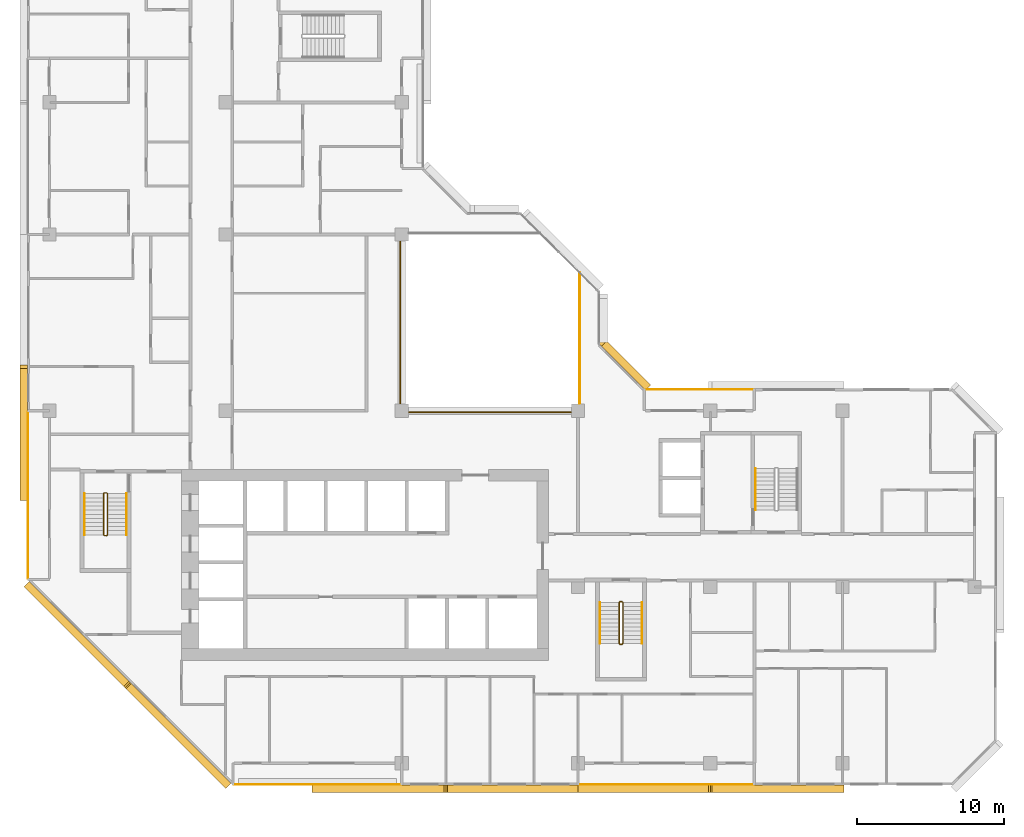
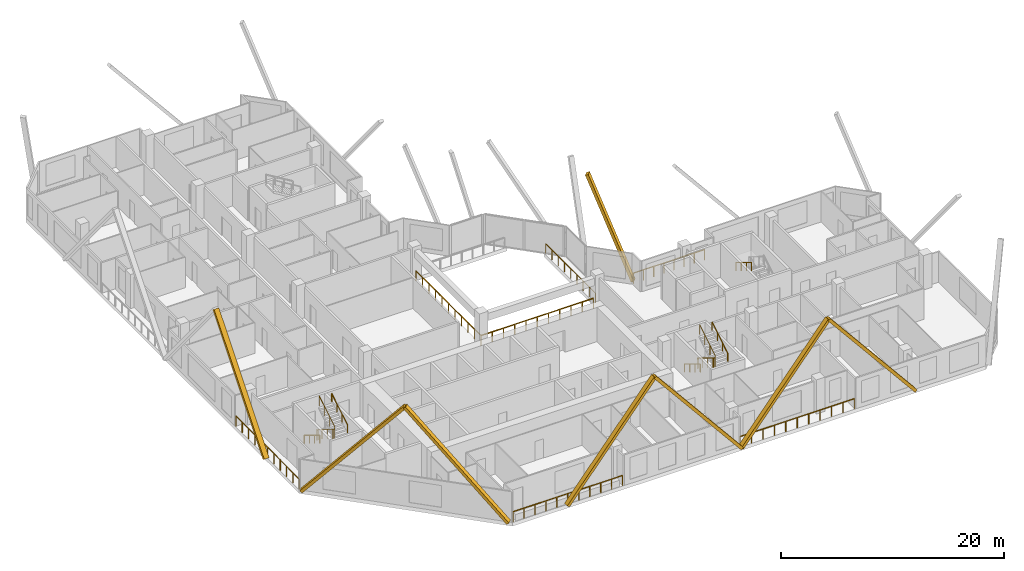
# One storey, part 14 of 15: 13 railings, 8 coverings.
"""IFC4 building model written with IfcOpenShell, lengths in metres."""

from ifc_helpers import new_model, si_unit, direction, frame, origin, origin_2d, place, context, subcontext, project, spatial, rectangle, extrude, material, material_profile, profile_set, type_object, element, save


model = new_model("IFC4")

# Units and contexts
model_context = context("Model", 3, precision=1e-05, world=origin(), true_north=direction((0.0, 1.0)))
body_context = subcontext(model_context, "Body", "Model", "MODEL_VIEW")
ifc_project = project(units=[si_unit("LENGTHUNIT", "METRE"), si_unit("AREAUNIT", "SQUARE_METRE"), si_unit("VOLUMEUNIT", "CUBIC_METRE"), si_unit("PLANEANGLEUNIT", "RADIAN"), si_unit("MASSUNIT", "GRAM", prefix="KILO")], contexts=[model_context])

# Site, building, storey
site_placement = place(None, origin())
site = spatial("IfcSite", under=ifc_project, at=site_placement, CompositionType="ELEMENT")
building_placement = place(site_placement, origin())
building = spatial("IfcBuilding", under=site, at=building_placement, Name="Chenar Terraces", CompositionType="ELEMENT")
storey_placement = place(building_placement, frame((0.0, 0.0, 194.89990234375)))
storey = spatial("IfcBuildingStorey", under=building, at=storey_placement, Name="L45", CompositionType="ELEMENT", Elevation=194.89990234375)

# Railings
ifc_material_1 = material(Name="Powder-coated steel", Category="steel")
railing_type_1 = type_object("IfcRailingType", Name="Guard 1100 steel rail with glass infill", PredefinedType="GUARDRAIL", material=ifc_material_1)
railing_1_placement = place(storey_placement, frame((23.89990234375, 35.550048828125, 0.0)))
element("IfcRailing", 1, at=railing_1_placement, inside=storey, type_object=railing_type_1, Name="Guard L45-1", PredefinedType="GUARDRAIL", context=body_context, shape_type="SweptSolid", body=[
    extrude(rectangle(XDim=0.06005859375, YDim=0.06005859375, at=origin_2d()), frame((0.0, 0.0, 1.070068359375), z_axis=(0.0, -1.0, 0.0), x_axis=(1.0, 0.0, 0.0)), (0.0, 0.0, 1.0), 11.650146484375),
    extrude(rectangle(XDim=0.06005859375, YDim=0.06005859375, at=origin_2d()), frame((0.0, -11.650146484375, 1.070068359375), z_axis=(1.0, 0.0, 0.0), x_axis=(0.0, 1.0, 0.0)), (0.0, 0.0, 1.0), 11.650146484375),
    extrude(rectangle(XDim=0.050048828125, YDim=0.050048828125, at=origin_2d()), origin(), (0.0, 0.0, 1.0), 1.0400390625),
    extrude(rectangle(XDim=0.050048828125, YDim=0.050048828125, at=origin_2d()), frame((0.0, -1.1650390625, 0.0)), (0.0, 0.0, 1.0), 1.0400390625),
    extrude(rectangle(XDim=0.050048828125, YDim=0.050048828125, at=origin_2d()), frame((0.0, -2.330078125, 0.0)), (0.0, 0.0, 1.0), 1.0400390625),
    extrude(rectangle(XDim=0.050048828125, YDim=0.050048828125, at=origin_2d()), frame((0.0, -3.4951171875, 0.0)), (0.0, 0.0, 1.0), 1.0400390625),
    extrude(rectangle(XDim=0.050048828125, YDim=0.050048828125, at=origin_2d()), frame((0.0, -4.66015625, 0.0)), (0.0, 0.0, 1.0), 1.0400390625),
    extrude(rectangle(XDim=0.050048828125, YDim=0.050048828125, at=origin_2d()), frame((0.0, -5.8251953125, 0.0)), (0.0, 0.0, 1.0), 1.0400390625),
    extrude(rectangle(XDim=0.050048828125, YDim=0.050048828125, at=origin_2d()), frame((0.0, -6.989990234375, 0.0)), (0.0, 0.0, 1.0), 1.0400390625),
    extrude(rectangle(XDim=0.050048828125, YDim=0.050048828125, at=origin_2d()), frame((0.0, -8.155029296875, 0.0)), (0.0, 0.0, 1.0), 1.0400390625),
    extrude(rectangle(XDim=0.050048828125, YDim=0.050048828125, at=origin_2d()), frame((0.0, -9.320068359375, 0.0)), (0.0, 0.0, 1.0), 1.0400390625),
    extrude(rectangle(XDim=0.050048828125, YDim=0.050048828125, at=origin_2d()), frame((0.0, -10.485107421875, 0.0)), (0.0, 0.0, 1.0), 1.0400390625),
    extrude(rectangle(XDim=0.050048828125, YDim=0.050048828125, at=origin_2d()), frame((0.0, -11.650146484375, 0.0)), (0.0, 0.0, 1.0), 1.0400390625),
    extrude(rectangle(XDim=0.050048828125, YDim=0.050048828125, at=origin_2d()), frame((1.1650390625, -11.650146484375, 0.0)), (0.0, 0.0, 1.0), 1.0400390625),
    extrude(rectangle(XDim=0.050048828125, YDim=0.050048828125, at=origin_2d()), frame((2.330078125, -11.650146484375, 0.0)), (0.0, 0.0, 1.0), 1.0400390625),
    extrude(rectangle(XDim=0.050048828125, YDim=0.050048828125, at=origin_2d()), frame((3.4951171875, -11.650146484375, 0.0)), (0.0, 0.0, 1.0), 1.0400390625),
    extrude(rectangle(XDim=0.050048828125, YDim=0.050048828125, at=origin_2d()), frame((4.66015625, -11.650146484375, 0.0)), (0.0, 0.0, 1.0), 1.0400390625),
    extrude(rectangle(XDim=0.050048828125, YDim=0.050048828125, at=origin_2d()), frame((5.8251953125, -11.650146484375, 0.0)), (0.0, 0.0, 1.0), 1.0400390625),
    extrude(rectangle(XDim=0.050048828125, YDim=0.050048828125, at=origin_2d()), frame((6.989990234375, -11.650146484375, 0.0)), (0.0, 0.0, 1.0), 1.0400390625),
    extrude(rectangle(XDim=0.050048828125, YDim=0.050048828125, at=origin_2d()), frame((8.155029296875, -11.650146484375, 0.0)), (0.0, 0.0, 1.0), 1.0400390625),
    extrude(rectangle(XDim=0.050048828125, YDim=0.050048828125, at=origin_2d()), frame((9.320068359375, -11.650146484375, 0.0)), (0.0, 0.0, 1.0), 1.0400390625),
    extrude(rectangle(XDim=0.050048828125, YDim=0.050048828125, at=origin_2d()), frame((10.485107421875, -11.650146484375, 0.0)), (0.0, 0.0, 1.0), 1.0400390625),
    extrude(rectangle(XDim=0.050048828125, YDim=0.050048828125, at=origin_2d()), frame((11.650146484375, -11.650146484375, 0.0)), (0.0, 0.0, 1.0), 1.0400390625),
])
railing_2_placement = place(storey_placement, frame((36.10009765625, 24.5, 0.0)))
element("IfcRailing", 2, at=railing_2_placement, inside=storey, type_object=railing_type_1, Name="Guard L45-3", PredefinedType="GUARDRAIL", context=body_context, shape_type="SweptSolid", body=[
    extrude(rectangle(XDim=0.06005859375, YDim=0.06005859375, at=origin_2d()), frame((0.0, 0.0, 1.070068359375), z_axis=(0.0, 1.0, 0.0), x_axis=(-1.0, 0.0, 0.0)), (0.0, 0.0, 1.0), 8.89990234375),
    extrude(rectangle(XDim=0.050048828125, YDim=0.050048828125, at=origin_2d()), origin(), (0.0, 0.0, 1.0), 1.0400390625),
    extrude(rectangle(XDim=0.050048828125, YDim=0.050048828125, at=origin_2d()), frame((0.0, 1.112548828125, 0.0)), (0.0, 0.0, 1.0), 1.0400390625),
    extrude(rectangle(XDim=0.050048828125, YDim=0.050048828125, at=origin_2d()), frame((0.0, 2.22509765625, 0.0)), (0.0, 0.0, 1.0), 1.0400390625),
    extrude(rectangle(XDim=0.050048828125, YDim=0.050048828125, at=origin_2d()), frame((0.0, 3.33740234375, 0.0)), (0.0, 0.0, 1.0), 1.0400390625),
    extrude(rectangle(XDim=0.050048828125, YDim=0.050048828125, at=origin_2d()), frame((0.0, 4.449951171875, 0.0)), (0.0, 0.0, 1.0), 1.0400390625),
    extrude(rectangle(XDim=0.050048828125, YDim=0.050048828125, at=origin_2d()), frame((0.0, 5.5625, 0.0)), (0.0, 0.0, 1.0), 1.0400390625),
    extrude(rectangle(XDim=0.050048828125, YDim=0.050048828125, at=origin_2d()), frame((0.0, 6.6748046875, 0.0)), (0.0, 0.0, 1.0), 1.0400390625),
    extrude(rectangle(XDim=0.050048828125, YDim=0.050048828125, at=origin_2d()), frame((0.0, 7.787353515625, 0.0)), (0.0, 0.0, 1.0), 1.0400390625),
    extrude(rectangle(XDim=0.050048828125, YDim=0.050048828125, at=origin_2d()), frame((0.0, 8.89990234375, 0.0)), (0.0, 0.0, 1.0), 1.0400390625),
])
ifc_material_2 = material(Name="Stainless steel and glass", Category="steel")
railing_type_2 = type_object("IfcRailingType", Name="Loggia guard 1150", PredefinedType="GUARDRAIL", material=ifc_material_2)
railing_3_placement = place(storey_placement, frame((47.925048828125, 25.449951171875, 0.0)))
element("IfcRailing", 3, at=railing_3_placement, inside=storey, type_object=railing_type_2, Name="Loggia guard", PredefinedType="GUARDRAIL", context=body_context, shape_type="SweptSolid", body=[
    extrude(rectangle(XDim=0.048095703125, YDim=0.048095703125, at=origin_2d()), frame((0.0, 0.0, 1.1259765625), z_axis=(-1.0, 0.0, 0.0), x_axis=(0.0, -1.0, 0.0)), (0.0, 0.0, 1.0), 7.35009765625),
    extrude(rectangle(XDim=0.0419921875, YDim=0.0419921875, at=origin_2d()), origin(), (0.0, 0.0, 1.0), 1.101806640625),
    extrude(rectangle(XDim=0.0419921875, YDim=0.0419921875, at=origin_2d()), frame((-1.050048828125, 0.0, 0.0)), (0.0, 0.0, 1.0), 1.101806640625),
    extrude(rectangle(XDim=0.0419921875, YDim=0.0419921875, at=origin_2d()), frame((-2.10009765625, 0.0, 0.0)), (0.0, 0.0, 1.0), 1.101806640625),
    extrude(rectangle(XDim=0.0419921875, YDim=0.0419921875, at=origin_2d()), frame((-3.150146484375, 0.0, 0.0)), (0.0, 0.0, 1.0), 1.101806640625),
    extrude(rectangle(XDim=0.0419921875, YDim=0.0419921875, at=origin_2d()), frame((-4.199951171875, 0.0, 0.0)), (0.0, 0.0, 1.0), 1.101806640625),
    extrude(rectangle(XDim=0.0419921875, YDim=0.0419921875, at=origin_2d()), frame((-5.25, 0.0, 0.0)), (0.0, 0.0, 1.0), 1.101806640625),
    extrude(rectangle(XDim=0.0419921875, YDim=0.0419921875, at=origin_2d()), frame((-6.300048828125, 0.0, 0.0)), (0.0, 0.0, 1.0), 1.101806640625),
    extrude(rectangle(XDim=0.0419921875, YDim=0.0419921875, at=origin_2d()), frame((-7.35009765625, 0.0, 0.0)), (0.0, 0.0, 1.0), 1.101806640625),
])
railing_4_placement = place(storey_placement, frame((12.574951171875, -1.449951171875, 0.0)))
element("IfcRailing", 4, at=railing_4_placement, inside=storey, type_object=railing_type_2, Name="Loggia guard", PredefinedType="GUARDRAIL", context=body_context, shape_type="SweptSolid", body=[
    extrude(rectangle(XDim=0.048095703125, YDim=0.048095703125, at=origin_2d()), frame((0.0, 0.0, 1.1259765625), z_axis=(1.0, 0.0, 0.0), x_axis=(0.0, 1.0, 0.0)), (0.0, 0.0, 1.0), 11.35009765625),
    extrude(rectangle(XDim=0.0419921875, YDim=0.0419921875, at=origin_2d()), origin(), (0.0, 0.0, 1.0), 1.101806640625),
    extrude(rectangle(XDim=0.0419921875, YDim=0.0419921875, at=origin_2d()), frame((1.135009765625, 0.0, 0.0)), (0.0, 0.0, 1.0), 1.101806640625),
    extrude(rectangle(XDim=0.0419921875, YDim=0.0419921875, at=origin_2d()), frame((2.27001953125, 0.0, 0.0)), (0.0, 0.0, 1.0), 1.101806640625),
    extrude(rectangle(XDim=0.0419921875, YDim=0.0419921875, at=origin_2d()), frame((3.405029296875, 0.0, 0.0)), (0.0, 0.0, 1.0), 1.101806640625),
    extrude(rectangle(XDim=0.0419921875, YDim=0.0419921875, at=origin_2d()), frame((4.5400390625, 0.0, 0.0)), (0.0, 0.0, 1.0), 1.101806640625),
    extrude(rectangle(XDim=0.0419921875, YDim=0.0419921875, at=origin_2d()), frame((5.675048828125, 0.0, 0.0)), (0.0, 0.0, 1.0), 1.101806640625),
    extrude(rectangle(XDim=0.0419921875, YDim=0.0419921875, at=origin_2d()), frame((6.81005859375, 0.0, 0.0)), (0.0, 0.0, 1.0), 1.101806640625),
    extrude(rectangle(XDim=0.0419921875, YDim=0.0419921875, at=origin_2d()), frame((7.945068359375, 0.0, 0.0)), (0.0, 0.0, 1.0), 1.101806640625),
    extrude(rectangle(XDim=0.0419921875, YDim=0.0419921875, at=origin_2d()), frame((9.080078125, 0.0, 0.0)), (0.0, 0.0, 1.0), 1.101806640625),
    extrude(rectangle(XDim=0.0419921875, YDim=0.0419921875, at=origin_2d()), frame((10.215087890625, 0.0, 0.0)), (0.0, 0.0, 1.0), 1.101806640625),
    extrude(rectangle(XDim=0.0419921875, YDim=0.0419921875, at=origin_2d()), frame((11.35009765625, 0.0, 0.0)), (0.0, 0.0, 1.0), 1.101806640625),
])
railing_5_placement = place(storey_placement, frame((36.074951171875, -1.449951171875, 0.0)))
element("IfcRailing", 5, at=railing_5_placement, inside=storey, type_object=railing_type_2, Name="Loggia guard", PredefinedType="GUARDRAIL", context=body_context, shape_type="SweptSolid", body=[
    extrude(rectangle(XDim=0.048095703125, YDim=0.048095703125, at=origin_2d()), frame((0.0, 0.0, 1.1259765625), z_axis=(1.0, 0.0, 0.0), x_axis=(0.0, 1.0, 0.0)), (0.0, 0.0, 1.0), 11.85009765625),
    extrude(rectangle(XDim=0.0419921875, YDim=0.0419921875, at=origin_2d()), origin(), (0.0, 0.0, 1.0), 1.101806640625),
    extrude(rectangle(XDim=0.0419921875, YDim=0.0419921875, at=origin_2d()), frame((1.18505859375, 0.0, 0.0)), (0.0, 0.0, 1.0), 1.101806640625),
    extrude(rectangle(XDim=0.0419921875, YDim=0.0419921875, at=origin_2d()), frame((2.3701171875, 0.0, 0.0)), (0.0, 0.0, 1.0), 1.101806640625),
    extrude(rectangle(XDim=0.0419921875, YDim=0.0419921875, at=origin_2d()), frame((3.554931640625, 0.0, 0.0)), (0.0, 0.0, 1.0), 1.101806640625),
    extrude(rectangle(XDim=0.0419921875, YDim=0.0419921875, at=origin_2d()), frame((4.739990234375, 0.0, 0.0)), (0.0, 0.0, 1.0), 1.101806640625),
    extrude(rectangle(XDim=0.0419921875, YDim=0.0419921875, at=origin_2d()), frame((5.925048828125, 0.0, 0.0)), (0.0, 0.0, 1.0), 1.101806640625),
    extrude(rectangle(XDim=0.0419921875, YDim=0.0419921875, at=origin_2d()), frame((7.110107421875, 0.0, 0.0)), (0.0, 0.0, 1.0), 1.101806640625),
    extrude(rectangle(XDim=0.0419921875, YDim=0.0419921875, at=origin_2d()), frame((8.295166015625, 0.0, 0.0)), (0.0, 0.0, 1.0), 1.101806640625),
    extrude(rectangle(XDim=0.0419921875, YDim=0.0419921875, at=origin_2d()), frame((9.47998046875, 0.0, 0.0)), (0.0, 0.0, 1.0), 1.101806640625),
    extrude(rectangle(XDim=0.0419921875, YDim=0.0419921875, at=origin_2d()), frame((10.6650390625, 0.0, 0.0)), (0.0, 0.0, 1.0), 1.101806640625),
    extrude(rectangle(XDim=0.0419921875, YDim=0.0419921875, at=origin_2d()), frame((11.85009765625, 0.0, 0.0)), (0.0, 0.0, 1.0), 1.101806640625),
])
railing_6_placement = place(storey_placement, frame((-1.449951171875, 23.925048828125, 0.0)))
element("IfcRailing", 6, at=railing_6_placement, inside=storey, type_object=railing_type_2, Name="Loggia guard", PredefinedType="GUARDRAIL", context=body_context, shape_type="SweptSolid", body=[
    extrude(rectangle(XDim=0.048095703125, YDim=0.048095703125, at=origin_2d()), frame((0.0, 0.0, 1.1259765625), z_axis=(0.0, -1.0, 0.0), x_axis=(1.0, 0.0, 0.0)), (0.0, 0.0, 1.0), 11.35009765625),
    extrude(rectangle(XDim=0.0419921875, YDim=0.0419921875, at=origin_2d()), origin(), (0.0, 0.0, 1.0), 1.101806640625),
    extrude(rectangle(XDim=0.0419921875, YDim=0.0419921875, at=origin_2d()), frame((0.0, -1.135009765625, 0.0)), (0.0, 0.0, 1.0), 1.101806640625),
    extrude(rectangle(XDim=0.0419921875, YDim=0.0419921875, at=origin_2d()), frame((0.0, -2.27001953125, 0.0)), (0.0, 0.0, 1.0), 1.101806640625),
    extrude(rectangle(XDim=0.0419921875, YDim=0.0419921875, at=origin_2d()), frame((0.0, -3.405029296875, 0.0)), (0.0, 0.0, 1.0), 1.101806640625),
    extrude(rectangle(XDim=0.0419921875, YDim=0.0419921875, at=origin_2d()), frame((0.0, -4.5400390625, 0.0)), (0.0, 0.0, 1.0), 1.101806640625),
    extrude(rectangle(XDim=0.0419921875, YDim=0.0419921875, at=origin_2d()), frame((0.0, -5.675048828125, 0.0)), (0.0, 0.0, 1.0), 1.101806640625),
    extrude(rectangle(XDim=0.0419921875, YDim=0.0419921875, at=origin_2d()), frame((0.0, -6.81005859375, 0.0)), (0.0, 0.0, 1.0), 1.101806640625),
    extrude(rectangle(XDim=0.0419921875, YDim=0.0419921875, at=origin_2d()), frame((0.0, -7.945068359375, 0.0)), (0.0, 0.0, 1.0), 1.101806640625),
    extrude(rectangle(XDim=0.0419921875, YDim=0.0419921875, at=origin_2d()), frame((0.0, -9.080078125, 0.0)), (0.0, 0.0, 1.0), 1.101806640625),
    extrude(rectangle(XDim=0.0419921875, YDim=0.0419921875, at=origin_2d()), frame((0.0, -10.215087890625, 0.0)), (0.0, 0.0, 1.0), 1.101806640625),
    extrude(rectangle(XDim=0.0419921875, YDim=0.0419921875, at=origin_2d()), frame((0.0, -11.35009765625, 0.0)), (0.0, 0.0, 1.0), 1.101806640625),
])
ifc_material_3 = material(Name="Powder-coated steel", Category="steel")
railing_type_3 = type_object("IfcRailingType", Name="Stair guard 1100", PredefinedType="GUARDRAIL", material=ifc_material_3)
railing_7_placement = place(storey_placement, frame((3.949951171875, 18.35009765625, 3.75)))
element("IfcRailing", 7, at=railing_7_placement, inside=storey, type_object=railing_type_3, Name="L45 ST1 stair guard 1", PredefinedType="GUARDRAIL", context=body_context, shape_type="SweptSolid", body=[
    extrude(rectangle(XDim=0.048095703125, YDim=0.048095703125, at=origin_2d()), frame((0.0, 0.0, 1.076171875), z_axis=(0.0, -0.854202870247, -0.519939858505), x_axis=(1.0, 0.0, 0.0)), (0.0, 0.0, 1.0), 3.278076171875),
    extrude(rectangle(XDim=0.048095703125, YDim=0.048095703125, at=origin_2d()), frame((0.0, -2.800048828125, -0.62841796875), z_axis=(-0.270899902878, -0.270899902878, -0.923702595667), x_axis=(0.707106781187, -0.707106781187, 0.0)), (0.0, 0.0, 1.0), 0.184814453125),
    extrude(rectangle(XDim=0.048095703125, YDim=0.048095703125, at=origin_2d()), frame((-0.050048828125, -2.85009765625, -0.798828125), z_axis=(-1.0, 0.0, 0.0), x_axis=(0.0, -1.0, 0.0)), (0.0, 0.0, 1.0), 0.14990234375),
    extrude(rectangle(XDim=0.048095703125, YDim=0.048095703125, at=origin_2d()), frame((-0.199951171875, -2.85009765625, -0.798828125), z_axis=(-0.707106781187, 0.707106781187, 0.0), x_axis=(-0.707106781187, -0.707106781187, 0.0)), (0.0, 0.0, 1.0), 0.07080078125),
    extrude(rectangle(XDim=0.048095703125, YDim=0.048095703125, at=origin_2d()), frame((-0.25, -2.800048828125, -0.798828125), z_axis=(0.0, 0.854202870247, -0.519939858505), x_axis=(-1.0, 0.0, 0.0)), (0.0, 0.0, 1.0), 3.278076171875),
    extrude(rectangle(XDim=0.048095703125, YDim=0.048095703125, at=origin_2d()), frame((-0.25, 0.0, -2.50341796875), z_axis=(0.270996696079, 0.269674760976, -0.924032636873), x_axis=(-0.705375805398, 0.708833529934, 0.0)), (0.0, 0.0, 1.0), 0.1845703125),
    extrude(rectangle(XDim=0.048095703125, YDim=0.048095703125, at=origin_2d()), frame((-0.199951171875, 0.0498046875, -2.673828125), z_axis=(1.0, 0.0, 0.0), x_axis=(0.0, 1.0, 0.0)), (0.0, 0.0, 1.0), 0.14990234375),
    extrude(rectangle(XDim=0.0419921875, YDim=0.0419921875, at=origin_2d()), origin(), (0.0, 0.0, 1.0), 1.052001953125),
    extrude(rectangle(XDim=0.0419921875, YDim=0.0419921875, at=origin_2d()), frame((0.0, -0.933349609375, -0.568115234375)), (0.0, 0.0, 1.0), 1.052001953125),
    extrude(rectangle(XDim=0.0419921875, YDim=0.0419921875, at=origin_2d()), frame((0.0, -1.86669921875, -1.13623046875)), (0.0, 0.0, 1.0), 1.052001953125),
    extrude(rectangle(XDim=0.0419921875, YDim=0.0419921875, at=origin_2d()), frame((0.0, -2.800048828125, -1.704345703125)), (0.0, 0.0, 1.0), 1.052001953125),
    extrude(rectangle(XDim=0.0419921875, YDim=0.0419921875, at=origin_2d()), frame((-0.050048828125, -2.85009765625, -1.875)), (0.0, 0.0, 1.0), 1.052001953125),
    extrude(rectangle(XDim=0.0419921875, YDim=0.0419921875, at=origin_2d()), frame((-0.199951171875, -2.85009765625, -1.875)), (0.0, 0.0, 1.0), 1.052001953125),
    extrude(rectangle(XDim=0.0419921875, YDim=0.0419921875, at=origin_2d()), frame((-0.25, -2.800048828125, -1.875)), (0.0, 0.0, 1.0), 1.052001953125),
    extrude(rectangle(XDim=0.0419921875, YDim=0.0419921875, at=origin_2d()), frame((-0.25, -1.86669921875, -2.443115234375)), (0.0, 0.0, 1.0), 1.052001953125),
    extrude(rectangle(XDim=0.0419921875, YDim=0.0419921875, at=origin_2d()), frame((-0.25, -0.933349609375, -3.01123046875)), (0.0, 0.0, 1.0), 1.052001953125),
    extrude(rectangle(XDim=0.0419921875, YDim=0.0419921875, at=origin_2d()), frame((-0.25, 0.0, -3.579345703125)), (0.0, 0.0, 1.0), 1.052001953125),
    extrude(rectangle(XDim=0.0419921875, YDim=0.0419921875, at=origin_2d()), frame((-0.199951171875, 0.0498046875, -3.75)), (0.0, 0.0, 1.0), 1.052001953125),
    extrude(rectangle(XDim=0.0419921875, YDim=0.0419921875, at=origin_2d()), frame((-0.050048828125, 0.0498046875, -3.75)), (0.0, 0.0, 1.0), 1.052001953125),
])
railing_8_placement = place(storey_placement, frame((39.050048828125, 10.949951171875, 3.75)))
element("IfcRailing", 8, at=railing_8_placement, inside=storey, type_object=railing_type_3, Name="L45 ST2 stair guard 1", PredefinedType="GUARDRAIL", context=body_context, shape_type="SweptSolid", body=[
    extrude(rectangle(XDim=0.048095703125, YDim=0.048095703125, at=origin_2d()), frame((0.0, 0.0, 1.076171875), z_axis=(0.0, -0.854202870247, -0.519939858505), x_axis=(1.0, 0.0, 0.0)), (0.0, 0.0, 1.0), 3.278076171875),
    extrude(rectangle(XDim=0.048095703125, YDim=0.048095703125, at=origin_2d()), frame((0.0, -2.800048828125, -0.62841796875), z_axis=(-0.270996696079, -0.269674760976, -0.924032636873), x_axis=(0.705375805398, -0.708833529934, 0.0)), (0.0, 0.0, 1.0), 0.1845703125),
    extrude(rectangle(XDim=0.048095703125, YDim=0.048095703125, at=origin_2d()), frame((-0.050048828125, -2.849853515625, -0.798828125), z_axis=(-1.0, 0.0, 0.0), x_axis=(0.0, -1.0, 0.0)), (0.0, 0.0, 1.0), 0.14990234375),
    extrude(rectangle(XDim=0.048095703125, YDim=0.048095703125, at=origin_2d()), frame((-0.199951171875, -2.849853515625, -0.798828125), z_axis=(-0.708833529934, 0.705375805398, 0.0), x_axis=(-0.705375805398, -0.708833529934, 0.0)), (0.0, 0.0, 1.0), 0.070556640625),
    extrude(rectangle(XDim=0.048095703125, YDim=0.048095703125, at=origin_2d()), frame((-0.25, -2.800048828125, -0.798828125), z_axis=(0.0, 0.854202870247, -0.519939858505), x_axis=(-1.0, 0.0, 0.0)), (0.0, 0.0, 1.0), 3.278076171875),
    extrude(rectangle(XDim=0.048095703125, YDim=0.048095703125, at=origin_2d()), frame((-0.25, 0.0, -2.50341796875), z_axis=(0.270899902878, 0.270899902878, -0.923702595667), x_axis=(-0.707106781187, 0.707106781187, 0.0)), (0.0, 0.0, 1.0), 0.184814453125),
    extrude(rectangle(XDim=0.048095703125, YDim=0.048095703125, at=origin_2d()), frame((-0.199951171875, 0.050048828125, -2.673828125), z_axis=(1.0, 0.0, 0.0), x_axis=(0.0, 1.0, 0.0)), (0.0, 0.0, 1.0), 0.14990234375),
    extrude(rectangle(XDim=0.0419921875, YDim=0.0419921875, at=origin_2d()), origin(), (0.0, 0.0, 1.0), 1.052001953125),
    extrude(rectangle(XDim=0.0419921875, YDim=0.0419921875, at=origin_2d()), frame((0.0, -0.933349609375, -0.568115234375)), (0.0, 0.0, 1.0), 1.052001953125),
    extrude(rectangle(XDim=0.0419921875, YDim=0.0419921875, at=origin_2d()), frame((0.0, -1.86669921875, -1.13623046875)), (0.0, 0.0, 1.0), 1.052001953125),
    extrude(rectangle(XDim=0.0419921875, YDim=0.0419921875, at=origin_2d()), frame((0.0, -2.800048828125, -1.704345703125)), (0.0, 0.0, 1.0), 1.052001953125),
    extrude(rectangle(XDim=0.0419921875, YDim=0.0419921875, at=origin_2d()), frame((-0.050048828125, -2.849853515625, -1.875)), (0.0, 0.0, 1.0), 1.052001953125),
    extrude(rectangle(XDim=0.0419921875, YDim=0.0419921875, at=origin_2d()), frame((-0.199951171875, -2.849853515625, -1.875)), (0.0, 0.0, 1.0), 1.052001953125),
    extrude(rectangle(XDim=0.0419921875, YDim=0.0419921875, at=origin_2d()), frame((-0.25, -2.800048828125, -1.875)), (0.0, 0.0, 1.0), 1.052001953125),
    extrude(rectangle(XDim=0.0419921875, YDim=0.0419921875, at=origin_2d()), frame((-0.25, -1.86669921875, -2.443115234375)), (0.0, 0.0, 1.0), 1.052001953125),
    extrude(rectangle(XDim=0.0419921875, YDim=0.0419921875, at=origin_2d()), frame((-0.25, -0.933349609375, -3.01123046875)), (0.0, 0.0, 1.0), 1.052001953125),
    extrude(rectangle(XDim=0.0419921875, YDim=0.0419921875, at=origin_2d()), frame((-0.25, 0.0, -3.579345703125)), (0.0, 0.0, 1.0), 1.052001953125),
    extrude(rectangle(XDim=0.0419921875, YDim=0.0419921875, at=origin_2d()), frame((-0.199951171875, 0.050048828125, -3.75)), (0.0, 0.0, 1.0), 1.052001953125),
    extrude(rectangle(XDim=0.0419921875, YDim=0.0419921875, at=origin_2d()), frame((-0.050048828125, 0.050048828125, -3.75)), (0.0, 0.0, 1.0), 1.052001953125),
])
ifc_material_4 = material(Name="Powder-coated steel", Category="steel")
railing_type_4 = type_object("IfcRailingType", Name="Stair handrail 900", PredefinedType="HANDRAIL", material=ifc_material_4)
railing_9_placement = place(storey_placement, frame((2.39990234375, 18.35009765625, 0.170654296875)))
element("IfcRailing", 9, at=railing_9_placement, inside=storey, type_object=railing_type_4, Name="L45 ST1 stair handrail 1", PredefinedType="HANDRAIL", context=body_context, shape_type="SweptSolid", body=[
    extrude(rectangle(XDim=0.048095703125, YDim=0.048095703125, at=origin_2d()), frame((0.0, 0.0, 0.8759765625), z_axis=(0.0, -0.854202870247, 0.519939858505), x_axis=(1.0, 0.0, 0.0)), (0.0, 0.0, 1.0), 3.278076171875),
    extrude(rectangle(XDim=0.0419921875, YDim=0.0419921875, at=origin_2d()), origin(), (0.0, 0.0, 1.0), 0.851806640625),
    extrude(rectangle(XDim=0.0419921875, YDim=0.0419921875, at=origin_2d()), frame((0.0, -0.933349609375, 0.568115234375)), (0.0, 0.0, 1.0), 0.851806640625),
    extrude(rectangle(XDim=0.0419921875, YDim=0.0419921875, at=origin_2d()), frame((0.0, -1.86669921875, 1.13623046875)), (0.0, 0.0, 1.0), 0.851806640625),
    extrude(rectangle(XDim=0.0419921875, YDim=0.0419921875, at=origin_2d()), frame((0.0, -2.800048828125, 1.704345703125)), (0.0, 0.0, 1.0), 0.851806640625),
])
railing_10_placement = place(storey_placement, frame((5.25, 15.550048828125, 2.045654296875)))
element("IfcRailing", 10, at=railing_10_placement, inside=storey, type_object=railing_type_4, Name="L45 ST1 stair handrail 2", PredefinedType="HANDRAIL", context=body_context, shape_type="SweptSolid", body=[
    extrude(rectangle(XDim=0.048095703125, YDim=0.048095703125, at=origin_2d()), frame((0.0, 0.0, 0.8759765625), z_axis=(0.0, 0.854202870247, 0.519939858505), x_axis=(-1.0, 0.0, 0.0)), (0.0, 0.0, 1.0), 3.278076171875),
    extrude(rectangle(XDim=0.0419921875, YDim=0.0419921875, at=origin_2d()), origin(), (0.0, 0.0, 1.0), 0.851806640625),
    extrude(rectangle(XDim=0.0419921875, YDim=0.0419921875, at=origin_2d()), frame((0.0, 0.933349609375, 0.568115234375)), (0.0, 0.0, 1.0), 0.851806640625),
    extrude(rectangle(XDim=0.0419921875, YDim=0.0419921875, at=origin_2d()), frame((0.0, 1.86669921875, 1.13623046875)), (0.0, 0.0, 1.0), 0.851806640625),
    extrude(rectangle(XDim=0.0419921875, YDim=0.0419921875, at=origin_2d()), frame((0.0, 2.800048828125, 1.704345703125)), (0.0, 0.0, 1.0), 0.851806640625),
])
railing_11_placement = place(storey_placement, frame((37.5, 10.949951171875, 0.170654296875)))
element("IfcRailing", 11, at=railing_11_placement, inside=storey, type_object=railing_type_4, Name="L45 ST2 stair handrail 1", PredefinedType="HANDRAIL", context=body_context, shape_type="SweptSolid", body=[
    extrude(rectangle(XDim=0.048095703125, YDim=0.048095703125, at=origin_2d()), frame((0.0, 0.0, 0.8759765625), z_axis=(0.0, -0.854202870247, 0.519939858505), x_axis=(1.0, 0.0, 0.0)), (0.0, 0.0, 1.0), 3.278076171875),
    extrude(rectangle(XDim=0.0419921875, YDim=0.0419921875, at=origin_2d()), origin(), (0.0, 0.0, 1.0), 0.851806640625),
    extrude(rectangle(XDim=0.0419921875, YDim=0.0419921875, at=origin_2d()), frame((0.0, -0.933349609375, 0.568115234375)), (0.0, 0.0, 1.0), 0.851806640625),
    extrude(rectangle(XDim=0.0419921875, YDim=0.0419921875, at=origin_2d()), frame((0.0, -1.86669921875, 1.13623046875)), (0.0, 0.0, 1.0), 0.851806640625),
    extrude(rectangle(XDim=0.0419921875, YDim=0.0419921875, at=origin_2d()), frame((0.0, -2.800048828125, 1.704345703125)), (0.0, 0.0, 1.0), 0.851806640625),
])
railing_12_placement = place(storey_placement, frame((40.35009765625, 8.14990234375, 2.045654296875)))
element("IfcRailing", 12, at=railing_12_placement, inside=storey, type_object=railing_type_4, Name="L45 ST2 stair handrail 2", PredefinedType="HANDRAIL", context=body_context, shape_type="SweptSolid", body=[
    extrude(rectangle(XDim=0.048095703125, YDim=0.048095703125, at=origin_2d()), frame((0.0, 0.0, 0.8759765625), z_axis=(0.0, 0.854202870247, 0.519939858505), x_axis=(-1.0, 0.0, 0.0)), (0.0, 0.0, 1.0), 3.278076171875),
    extrude(rectangle(XDim=0.0419921875, YDim=0.0419921875, at=origin_2d()), origin(), (0.0, 0.0, 1.0), 0.851806640625),
    extrude(rectangle(XDim=0.0419921875, YDim=0.0419921875, at=origin_2d()), frame((0.0, 0.933349609375, 0.568115234375)), (0.0, 0.0, 1.0), 0.851806640625),
    extrude(rectangle(XDim=0.0419921875, YDim=0.0419921875, at=origin_2d()), frame((0.0, 1.86669921875, 1.13623046875)), (0.0, 0.0, 1.0), 0.851806640625),
    extrude(rectangle(XDim=0.0419921875, YDim=0.0419921875, at=origin_2d()), frame((0.0, 2.800048828125, 1.704345703125)), (0.0, 0.0, 1.0), 0.851806640625),
])
railing_13_placement = place(storey_placement, frame((48.074951171875, 20.050048828125, 2.045654296875)))
element("IfcRailing", 13, at=railing_13_placement, inside=storey, type_object=railing_type_4, Name="L45 ST3 stair handrail 2", PredefinedType="HANDRAIL", context=body_context, shape_type="SweptSolid", body=[
    extrude(rectangle(XDim=0.048095703125, YDim=0.048095703125, at=origin_2d()), frame((0.0, 0.0, 0.8759765625), z_axis=(0.0, -0.854202870247, 0.519939858505), x_axis=(1.0, 0.0, 0.0)), (0.0, 0.0, 1.0), 3.278076171875),
    extrude(rectangle(XDim=0.0419921875, YDim=0.0419921875, at=origin_2d()), origin(), (0.0, 0.0, 1.0), 0.851806640625),
    extrude(rectangle(XDim=0.0419921875, YDim=0.0419921875, at=origin_2d()), frame((0.0, -0.933349609375, 0.568115234375)), (0.0, 0.0, 1.0), 0.851806640625),
    extrude(rectangle(XDim=0.0419921875, YDim=0.0419921875, at=origin_2d()), frame((0.0, -1.86669921875, 1.13623046875)), (0.0, 0.0, 1.0), 0.851806640625),
    extrude(rectangle(XDim=0.0419921875, YDim=0.0419921875, at=origin_2d()), frame((0.0, -2.800048828125, 1.704345703125)), (0.0, 0.0, 1.0), 0.851806640625),
])

# Coverings
ifc_material_5 = material(Name="Terracotta", Category="masonry")
ifc_material_profile = material_profile(ifc_material_5, rectangle(XDim=0.5, YDim=0.300048828125, at=origin_2d()), Name="Terracotta baguette 500 x 300")
ifc_profile_set = profile_set([ifc_material_profile], Name="Terracotta")
covering_type = type_object("IfcCoveringType", Name="Terracotta baguette 500 x 300", PredefinedType="CLADDING", material=ifc_profile_set)
covering_1_placement = place(storey_placement, frame((40.6767578125, 25.6767578125, 0.150146484375), z_axis=(-0.255468212233, 0.255468212233, 0.932454816641), x_axis=(-0.707106781187, -0.707106781187, 0.0)))
element("IfcCovering", 14, at=covering_1_placement, inside=storey, type_object=covering_type, Name="Terracotta baguette", PredefinedType="CLADDING", context=body_context, shape_type="SweptSolid", body=[
    extrude(rectangle(XDim=0.5, YDim=0.300048828125, at=origin_2d()), origin(), (0.0, 0.0, 1.0), 11.7431640625),
])
covering_2_placement = place(storey_placement, frame((-1.75, 27.0, 11.10009765625), z_axis=(0.0, -0.634966765532, -0.772539453148), x_axis=(1.0, 0.0, 0.0)))
element("IfcCovering", 15, at=covering_2_placement, inside=storey, type_object=covering_type, Name="Terracotta baguette", PredefinedType="CLADDING", context=body_context, shape_type="SweptSolid", body=[
    extrude(rectangle(XDim=0.5, YDim=0.300048828125, at=origin_2d()), origin(), (0.0, 0.0, 1.0), 14.174072265625),
])
for number, where, z_axis, x_axis, name in (
    (16, (-1.464599609375, 12.111083984375, 0.150146484375), (0.466134798391, -0.466134798391, 0.751955250967), (0.707106781187, 0.707106781187, 0.0), "Terracotta baguette"),
    (17, (5.3232421875, 5.3232421875, 11.10009765625), (0.466134798391, -0.466134798391, -0.751955250967), (0.707106781187, 0.707106781187, 0.0), "Terracotta baguette"),
):
    element("IfcCovering", number, at=place(storey_placement, frame(where, z_axis=z_axis, x_axis=x_axis)), inside=storey, type_object=covering_type, Name=name, PredefinedType="CLADDING", context=body_context, shape_type="SweptSolid", body=[
        extrude(rectangle(XDim=0.5, YDim=0.300048828125, at=origin_2d()), origin(), (0.0, 0.0, 1.0), 14.56201171875),
    ])
for number, where, z_axis, x_axis, name in (
    (18, (18.0, -1.75, 0.150146484375), (0.634966765532, 0.0, 0.772539453148), (0.0, 1.0, 0.0), "Terracotta baguette"),
    (19, (27.0, -1.75, 11.10009765625), (0.634966765532, 0.0, -0.772539453148), (0.0, 1.0, 0.0), "Terracotta baguette"),
    (20, (36.0, -1.75, 0.150146484375), (0.634966765532, 0.0, 0.772539453148), (0.0, 1.0, 0.0), "Terracotta baguette"),
    (21, (45.0, -1.75, 11.10009765625), (0.634966765532, 0.0, -0.772539453148), (0.0, 1.0, 0.0), "Terracotta baguette"),
):
    element("IfcCovering", number, at=place(storey_placement, frame(where, z_axis=z_axis, x_axis=x_axis)), inside=storey, type_object=covering_type, Name=name, PredefinedType="CLADDING", context=body_context, shape_type="SweptSolid", body=[
        extrude(rectangle(XDim=0.5, YDim=0.300048828125, at=origin_2d()), origin(), (0.0, 0.0, 1.0), 14.174072265625),
    ])

save(model, "model.ifc")
